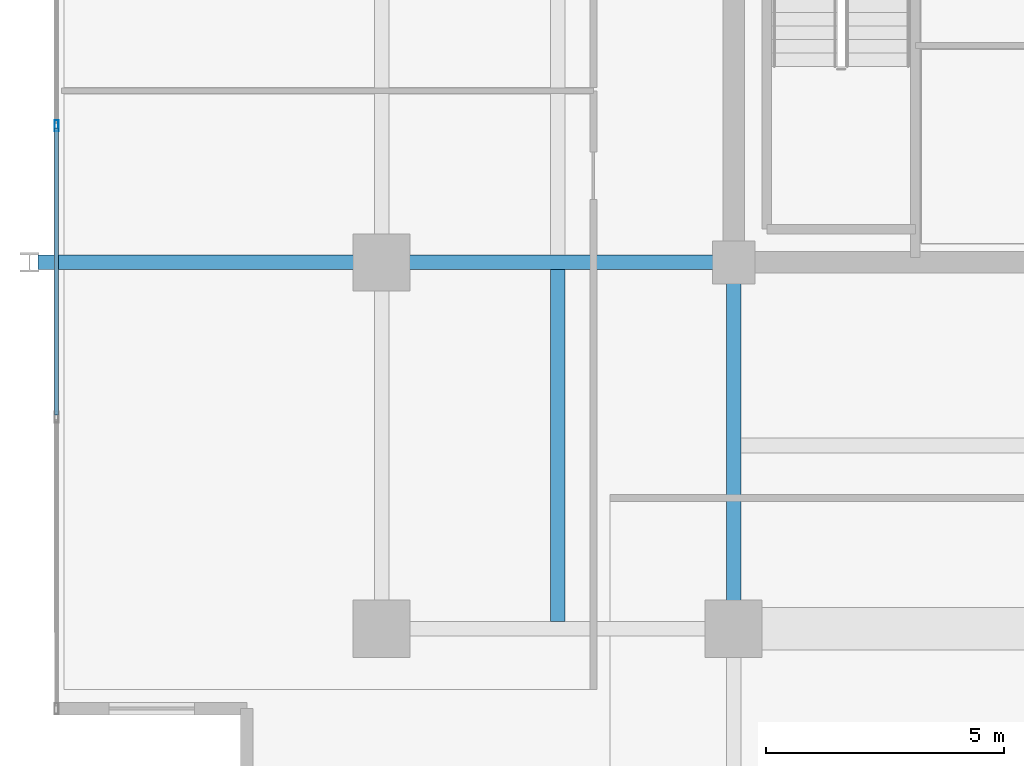
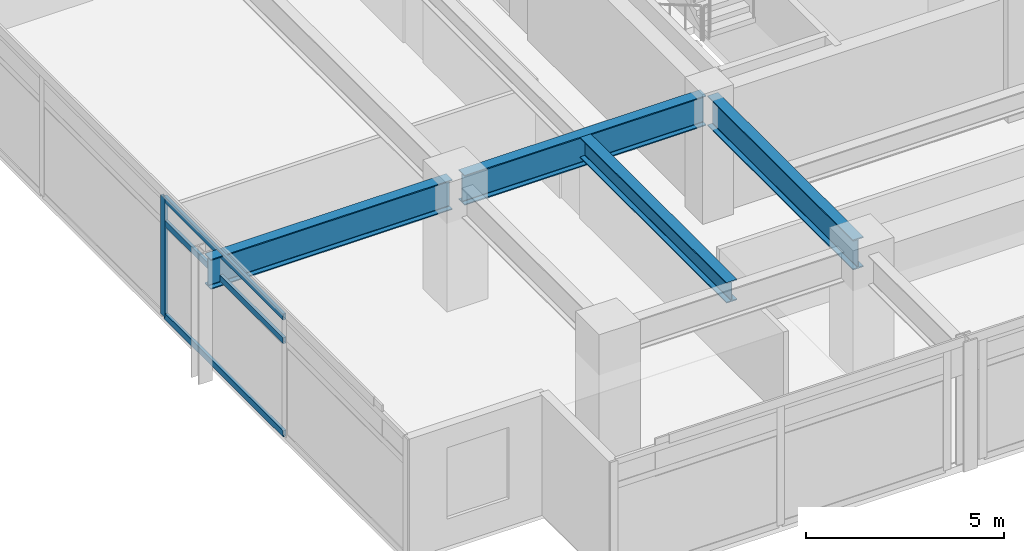
# One storey, part 3 of 20: 4 beams, 4 members, 1 element without a shape of its own.
"""IFC4 building model written with IfcOpenShell, lengths in metres."""

from ifc_helpers import new_model, si_unit, direction, frame, origin, origin_2d, place, context, subcontext, project, spatial, hollow_rectangle, i_section, extrude, material, material_profile, profile_set, type_object, element, aggregate, save


model = new_model("IFC4")

# Units and contexts
model_context = context("Model", 3, precision=1e-05, world=origin(), true_north=direction((0.0, 1.0)))
body_context = subcontext(model_context, "Body", "Model", "MODEL_VIEW")
ifc_project = project(units=[si_unit("LENGTHUNIT", "METRE"), si_unit("AREAUNIT", "SQUARE_METRE"), si_unit("VOLUMEUNIT", "CUBIC_METRE"), si_unit("PLANEANGLEUNIT", "RADIAN"), si_unit("MASSUNIT", "GRAM", prefix="KILO")], contexts=[model_context])

# Site, building, storey
site_placement = place(None, origin())
site = spatial("IfcSite", under=ifc_project, at=site_placement, CompositionType="ELEMENT")
building_placement = place(site_placement, origin())
building = spatial("IfcBuilding", under=site, at=building_placement, Name="Kovane Verandah Tower", CompositionType="ELEMENT")
storey_placement = place(building_placement, frame((0.0, 0.0, 291.199951171875)))
storey = spatial("IfcBuildingStorey", under=building, at=storey_placement, Name="L68", CompositionType="ELEMENT", Elevation=291.199951171875)

# Beams
ifc_material_1 = material(Name="Steel S460", Category="steel")
ifc_material_profile_1 = material_profile(ifc_material_1, i_section(OverallWidth=0.311279296875, OverallDepth=0.6357421875, WebThickness=0.018310546875, FlangeThickness=0.031494140625, FilletRadius=0.0166015625, at=origin_2d()), Name="UB610x305x238")
ifc_profile_set_1 = profile_set([ifc_material_profile_1], Name="Steel S460")
beam_type_1 = type_object("IfcBeamType", Name="BM-UB610x238", PredefinedType="BEAM", material=ifc_profile_set_1)
beam_1_placement = place(storey_placement, frame((25.300048828125, 10.951904296875, 3.382080078125), z_axis=(0.0, 1.0, 0.0), x_axis=(-1.0, 0.0, 0.0)))
element("IfcBeam", 1, at=beam_1_placement, inside=storey, type_object=beam_type_1, Name="L68 Secondary Composite Joist J-SW1", PredefinedType="BEAM", context=body_context, shape_type="SweptSolid", body=[
    extrude(i_section(OverallWidth=0.311279296875, OverallDepth=0.6357421875, WebThickness=0.018310546875, FlangeThickness=0.031494140625, FilletRadius=0.0166015625, at=origin_2d()), origin(), (0.0, 0.0, 1.0), 7.396240234375),
])
ifc_material_profile_2 = material_profile(ifc_material_1, i_section(OverallWidth=0.3076171875, OverallDepth=0.926513671875, WebThickness=0.01953125, FlangeThickness=0.031982421875, FilletRadius=0.01904296875, at=origin_2d()), Name="UB914x305x289")
ifc_profile_set_2 = profile_set([ifc_material_profile_2], Name="Steel S460")
beam_type_2 = type_object("IfcBeamType", Name="BM-UB914x289", PredefinedType="BEAM", material=ifc_profile_set_2)
beam_2_placement = place(storey_placement, frame((28.820068359375, 18.5, 3.23681640625), z_axis=(-1.0, 0.0, 0.0), x_axis=(0.0, -1.0, 0.0)))
element("IfcBeam", 2, at=beam_2_placement, inside=storey, type_object=beam_type_2, Name="L68 Primary Tower Girder G-W1", PredefinedType="BEAM", context=body_context, shape_type="SweptSolid", body=[
    extrude(i_section(OverallWidth=0.3076171875, OverallDepth=0.926513671875, WebThickness=0.01953125, FlangeThickness=0.031982421875, FilletRadius=0.01904296875, at=origin_2d()), origin(), (0.0, 0.0, 1.0), 7.0400390625),
])
beam_3_placement = place(storey_placement, frame((29.0, 18.320068359375, 3.23681640625), z_axis=(0.0, -1.0, 0.0), x_axis=(1.0, 0.0, 0.0)))
element("IfcBeam", 3, at=beam_3_placement, inside=storey, type_object=beam_type_2, Name="L68 Primary Tower Girder G-S1", PredefinedType="BEAM", context=body_context, shape_type="SweptSolid", body=[
    extrude(i_section(OverallWidth=0.3076171875, OverallDepth=0.926513671875, WebThickness=0.01953125, FlangeThickness=0.031982421875, FilletRadius=0.01904296875, at=origin_2d()), origin(), (0.0, 0.0, 1.0), 7.340087890625),
])
beam_4_placement = place(storey_placement, frame((21.419921875, 18.5, 3.23681640625), z_axis=(-1.0, 0.0, 0.0), x_axis=(0.0, -1.0, 0.0)))
element("IfcBeam", 4, at=beam_4_placement, inside=storey, type_object=beam_type_2, Name="L68 Primary Tower Girder G-VW1", PredefinedType="BEAM", context=body_context, shape_type="SweptSolid", body=[
    extrude(i_section(OverallWidth=0.3076171875, OverallDepth=0.926513671875, WebThickness=0.01953125, FlangeThickness=0.031982421875, FilletRadius=0.01904296875, at=origin_2d()), origin(), (0.0, 0.0, 1.0), 7.0400390625),
])

# Curtain wall, members
ifc_material_2 = material(Name="Champagne Anodised Aluminium Frame with Low-E Clear Laminated Glass", Category="aluminium")
curtain_wall_type = type_object("IfcCurtainWallType", Name="CW-SYS-05-HIGH", PredefinedType="NOTDEFINED", material=ifc_material_2)
curtain_wall_placement = place(storey_placement, origin())
curtain_wall = element("IfcCurtainWall", 5, at=curtain_wall_placement, inside=storey, type_object=curtain_wall_type, Name="L68 W Unitised Curtain Wall", PredefinedType="NOTDEFINED")
ifc_material_3 = material(Name="Champagne Anodised Aluminium 6063-T6", Category="aluminium")
ifc_material_profile_3 = material_profile(ifc_material_3, hollow_rectangle(XDim=0.0849609375, YDim=0.22998046875, WallThickness=0.00390625, at=origin_2d()), Name="AL85x230x4")
ifc_profile_set_3 = profile_set([ifc_material_profile_3], Name="Champagne Anodised Aluminium 6063-T6")
member_type_1 = type_object("IfcMemberType", Name="CW-MUL-85x230", PredefinedType="MULLION", material=ifc_profile_set_3)
member_1_placement = place(storey_placement, frame((14.768310546875, 21.373046875, 0.02001953125), z_axis=(0.0, 0.0, 1.0), x_axis=(-1.0, 0.0, 0.0)))
member_1 = element("IfcMember", 6, at=member_1_placement, type_object=member_type_1, Name="L68 W Unitised Curtain Wall Mullion 5", PredefinedType="MULLION", context=body_context, shape_type="SweptSolid", body=[
    extrude(hollow_rectangle(XDim=0.0849609375, YDim=0.22998046875, WallThickness=0.00390625, at=origin_2d()), origin(), (0.0, 0.0, 1.0), 3.659912109375),
])
ifc_material_profile_4 = material_profile(ifc_material_3, hollow_rectangle(XDim=0.0849609375, YDim=0.18994140625, WallThickness=0.00390625, at=origin_2d()), Name="AL85x190x4")
ifc_profile_set_4 = profile_set([ifc_material_profile_4], Name="Champagne Anodised Aluminium 6063-T6")
member_type_2 = type_object("IfcMemberType", Name="CW-TRN-85x190", PredefinedType="USERDEFINED", material=ifc_profile_set_4)
member_2_placement = place(storey_placement, frame((14.768310546875, 21.322998046875, 0.050048828125), z_axis=(0.0, -1.0, 0.0), x_axis=(1.0, 0.0, 0.0)))
member_2 = element("IfcMember", 7, at=member_2_placement, type_object=member_type_2, Name="L68 W Unitised Curtain Wall Transom TB Bay 5", ObjectType="TRANSOM", PredefinedType="USERDEFINED", context=body_context, shape_type="SweptSolid", body=[
    extrude(hollow_rectangle(XDim=0.0849609375, YDim=0.18994140625, WallThickness=0.00390625, at=origin_2d()), origin(), (0.0, 0.0, 1.0), 6.026611328125),
])
member_3_placement = place(storey_placement, frame((14.768310546875, 21.322998046875, 2.920166015625), z_axis=(0.0, -1.0, 0.0), x_axis=(1.0, 0.0, 0.0)))
member_3 = element("IfcMember", 8, at=member_3_placement, type_object=member_type_2, Name="L68 W Unitised Curtain Wall Transom TM Bay 5", ObjectType="TRANSOM", PredefinedType="USERDEFINED", context=body_context, shape_type="SweptSolid", body=[
    extrude(hollow_rectangle(XDim=0.0849609375, YDim=0.18994140625, WallThickness=0.00390625, at=origin_2d()), origin(), (0.0, 0.0, 1.0), 6.026611328125),
])
member_4_placement = place(storey_placement, frame((14.768310546875, 21.322998046875, 3.650146484375), z_axis=(0.0, -1.0, 0.0), x_axis=(1.0, 0.0, 0.0)))
member_4 = element("IfcMember", 9, at=member_4_placement, type_object=member_type_2, Name="L68 W Unitised Curtain Wall Transom TT Bay 5", ObjectType="TRANSOM", PredefinedType="USERDEFINED", context=body_context, shape_type="SweptSolid", body=[
    extrude(hollow_rectangle(XDim=0.0849609375, YDim=0.18994140625, WallThickness=0.00390625, at=origin_2d()), origin(), (0.0, 0.0, 1.0), 6.026611328125),
])
aggregate(curtain_wall, [member_1, member_2, member_3, member_4])

save(model, "model.ifc")
